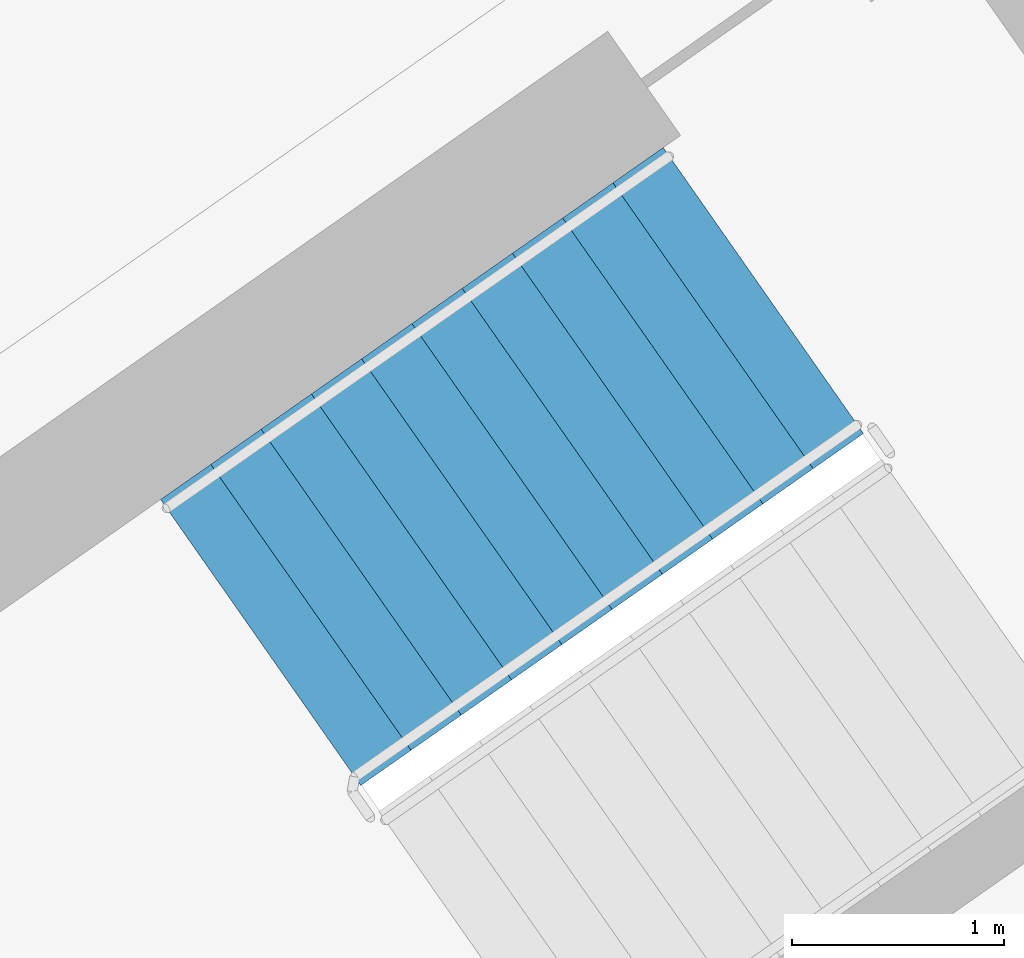
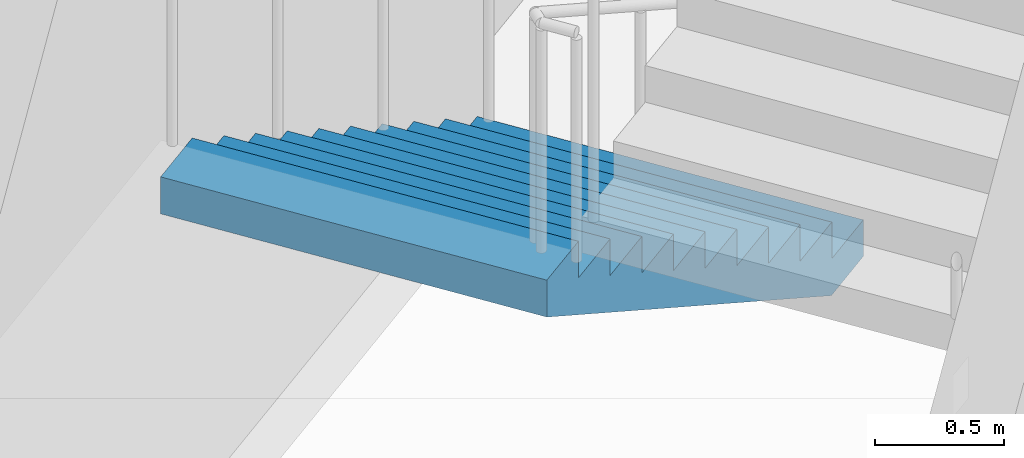
# One storey, part 12 of 31: 1 stair flight, 1 element without a shape of its own.
"""IFC4 building model written with IfcOpenShell, lengths in metres."""

from ifc_helpers import new_model, si_unit, direction, frame, origin, place, context, subcontext, project, spatial, faceted_brep, material, type_object, element, aggregate, save


model = new_model("IFC4")

# Units and contexts
model_context = context("Model", 3, precision=1e-05, world=origin(), true_north=direction((0.0, 1.0)))
body_context = subcontext(model_context, "Body", "Model", "MODEL_VIEW")
ifc_project = project(units=[si_unit("LENGTHUNIT", "METRE"), si_unit("AREAUNIT", "SQUARE_METRE"), si_unit("VOLUMEUNIT", "CUBIC_METRE"), si_unit("PLANEANGLEUNIT", "RADIAN"), si_unit("MASSUNIT", "GRAM", prefix="KILO")], contexts=[model_context])

# Site, building, storey
site_placement = place(None, origin())
site = spatial("IfcSite", under=ifc_project, at=site_placement, CompositionType="ELEMENT")
building_placement = place(site_placement, origin())
building = spatial("IfcBuilding", under=site, at=building_placement, Name="Qamariyya Broadcast Tower", CompositionType="ELEMENT")
storey_placement = place(building_placement, frame((0.0, 0.0, 149.300048828125)))
storey = spatial("IfcBuildingStorey", under=building, at=storey_placement, Name="L34", CompositionType="ELEMENT", Elevation=149.300048828125)

# Stair, stair flight
ifc_material = material(Name="Concrete C50/60", Category="concrete")
stair_type = type_object("IfcStairType", Name="Exit stair 22 risers of 173 mm", PredefinedType="HALF_TURN_STAIR", material=ifc_material)
stair_placement = place(storey_placement, origin())
stair = element("IfcStair", 1, at=stair_placement, inside=storey, type_object=stair_type, Name="L34 Stair E2", PredefinedType="HALF_TURN_STAIR")
stair_flight_type = type_object("IfcStairFlightType", Name="Exit stair flight 11 risers of 173 mm", PredefinedType="STRAIGHT", material=ifc_material)
stair_flight_placement = place(storey_placement, frame((40.558837890625, -47.685302734375, 0.0), z_axis=(0.0, 0.0, 1.0), x_axis=(-0.819152044289, -0.573576436351, 0.0)))
stair_flight = element("IfcStairFlight", 2, at=stair_flight_placement, type_object=stair_flight_type, Name="ST-E2 flight 1", NumberOfRisers=11, NumberOfTreads=10, PredefinedType="STRAIGHT", RiserHeight=0.172727273, TreadLength=0.29, context=body_context, shape_type="Brep", body=[
    faceted_brep([(0.0, 0.824951171875, 0.0), (0.0, 0.824951171875, 0.172607421875), (0.2900390625, 0.824951171875, 0.172607421875), (0.2900390625, 0.824951171875, 0.345458984375), (0.580078125, 0.824951171875, 0.345458984375), (0.580078125, 0.824951171875, 0.51806640625), (0.8701171875, 0.824951171875, 0.51806640625), (0.8701171875, 0.824951171875, 0.69091796875), (1.159912109375, 0.824951171875, 0.69091796875), (1.159912109375, 0.824951171875, 0.863525390625), (1.449951171875, 0.824951171875, 0.863525390625), (1.449951171875, 0.824951171875, 1.036376953125), (1.739990234375, 0.824951171875, 1.036376953125), (1.739990234375, 0.824951171875, 1.208984375), (2.030029296875, 0.824951171875, 1.208984375), (2.030029296875, 0.824951171875, 1.3818359375), (2.320068359375, 0.824951171875, 1.3818359375), (2.320068359375, 0.824951171875, 1.554443359375), (2.610107421875, 0.824951171875, 1.554443359375), (2.610107421875, 0.824951171875, 1.727294921875), (2.89990234375, 0.824951171875, 1.727294921875), (2.89990234375, 0.824951171875, 1.552734375), (0.29296875, 0.824951171875, 0.0), (0.29296875, -0.824951171875, 0.0), (2.89990234375, -0.824951171875, 1.552734375), (2.89990234375, -0.824951171875, 1.727294921875), (2.610107421875, -0.824951171875, 1.727294921875), (2.610107421875, -0.824951171875, 1.554443359375), (2.320068359375, -0.824951171875, 1.554443359375), (2.320068359375, -0.824951171875, 1.3818359375), (2.030029296875, -0.824951171875, 1.3818359375), (2.030029296875, -0.824951171875, 1.208984375), (1.739990234375, -0.824951171875, 1.208984375), (1.739990234375, -0.824951171875, 1.036376953125), (1.449951171875, -0.824951171875, 1.036376953125), (1.449951171875, -0.824951171875, 0.863525390625), (1.159912109375, -0.824951171875, 0.863525390625), (1.159912109375, -0.824951171875, 0.69091796875), (0.8701171875, -0.824951171875, 0.69091796875), (0.8701171875, -0.824951171875, 0.51806640625), (0.580078125, -0.824951171875, 0.51806640625), (0.580078125, -0.824951171875, 0.345458984375), (0.2900390625, -0.824951171875, 0.345458984375), (0.2900390625, -0.824951171875, 0.172607421875), (0.0, -0.824951171875, 0.172607421875), (0.0, -0.824951171875, 0.0), (0.0, 0.10009765625, 0.0), (0.0, 0.086669921875, 0.0), (0.0, 0.0732421875, 0.0), (0.0, 0.06005859375, 0.0), (0.0, 0.046630859375, 0.0), (0.0, 0.033447265625, 0.0), (0.0, 0.02001953125, 0.0), (0.0, 0.006591796875, 0.0), (0.0, -0.006591796875, 0.0), (0.0, -0.02001953125, 0.0), (0.0, -0.033447265625, 0.0), (0.0, -0.046630859375, 0.0), (0.0, -0.06005859375, 0.0), (0.0, -0.0732421875, 0.0), (0.0, -0.086669921875, 0.0), (0.0, -0.10009765625, 0.0), (0.0, -0.10009765625, 0.172607421875), (0.0, -0.086669921875, 0.172607421875), (0.0, -0.0732421875, 0.172607421875), (0.0, -0.06005859375, 0.172607421875), (0.0, -0.046630859375, 0.172607421875), (0.0, -0.033447265625, 0.172607421875), (0.0, -0.02001953125, 0.172607421875), (0.0, -0.006591796875, 0.172607421875), (0.0, 0.006591796875, 0.172607421875), (0.0, 0.02001953125, 0.172607421875), (0.0, 0.033447265625, 0.172607421875), (0.0, 0.046630859375, 0.172607421875), (0.0, 0.06005859375, 0.172607421875), (0.0, 0.0732421875, 0.172607421875), (0.0, 0.086669921875, 0.172607421875), (0.0, 0.10009765625, 0.172607421875), (0.2900390625, -0.10009765625, 0.172607421875), (0.2900390625, -0.086669921875, 0.172607421875), (0.2900390625, -0.0732421875, 0.172607421875), (0.2900390625, -0.06005859375, 0.172607421875), (0.2900390625, -0.046630859375, 0.172607421875), (0.2900390625, -0.033447265625, 0.172607421875), (0.2900390625, -0.02001953125, 0.172607421875), (0.2900390625, -0.006591796875, 0.172607421875), (0.2900390625, 0.006591796875, 0.172607421875), (0.2900390625, 0.02001953125, 0.172607421875), (0.2900390625, 0.033447265625, 0.172607421875), (0.2900390625, 0.046630859375, 0.172607421875), (0.2900390625, 0.06005859375, 0.172607421875), (0.2900390625, 0.0732421875, 0.172607421875), (0.2900390625, 0.086669921875, 0.172607421875), (0.2900390625, 0.10009765625, 0.172607421875), (0.2900390625, -0.10009765625, 0.345458984375), (0.2900390625, -0.086669921875, 0.345458984375), (0.2900390625, -0.0732421875, 0.345458984375), (0.2900390625, -0.06005859375, 0.345458984375), (0.2900390625, -0.046630859375, 0.345458984375), (0.2900390625, -0.033447265625, 0.345458984375), (0.2900390625, -0.02001953125, 0.345458984375), (0.2900390625, -0.006591796875, 0.345458984375), (0.2900390625, 0.006591796875, 0.345458984375), (0.2900390625, 0.02001953125, 0.345458984375), (0.2900390625, 0.033447265625, 0.345458984375), (0.2900390625, 0.046630859375, 0.345458984375), (0.2900390625, 0.06005859375, 0.345458984375), (0.2900390625, 0.0732421875, 0.345458984375), (0.2900390625, 0.086669921875, 0.345458984375), (0.2900390625, 0.10009765625, 0.345458984375), (0.580078125, -0.10009765625, 0.345458984375), (0.580078125, -0.086669921875, 0.345458984375), (0.580078125, -0.0732421875, 0.345458984375), (0.580078125, -0.06005859375, 0.345458984375), (0.580078125, -0.046630859375, 0.345458984375), (0.580078125, -0.033447265625, 0.345458984375), (0.580078125, -0.02001953125, 0.345458984375), (0.580078125, -0.006591796875, 0.345458984375), (0.580078125, 0.006591796875, 0.345458984375), (0.580078125, 0.02001953125, 0.345458984375), (0.580078125, 0.033447265625, 0.345458984375), (0.580078125, 0.046630859375, 0.345458984375), (0.580078125, 0.06005859375, 0.345458984375), (0.580078125, 0.0732421875, 0.345458984375), (0.580078125, 0.086669921875, 0.345458984375), (0.580078125, 0.10009765625, 0.345458984375), (0.580078125, -0.10009765625, 0.51806640625), (0.580078125, -0.086669921875, 0.51806640625), (0.580078125, -0.0732421875, 0.51806640625), (0.580078125, -0.06005859375, 0.51806640625), (0.580078125, -0.046630859375, 0.51806640625), (0.580078125, -0.033447265625, 0.51806640625), (0.580078125, -0.02001953125, 0.51806640625), (0.580078125, -0.006591796875, 0.51806640625), (0.580078125, 0.006591796875, 0.51806640625), (0.580078125, 0.02001953125, 0.51806640625), (0.580078125, 0.033447265625, 0.51806640625), (0.580078125, 0.046630859375, 0.51806640625), (0.580078125, 0.06005859375, 0.51806640625), (0.580078125, 0.0732421875, 0.51806640625), (0.580078125, 0.086669921875, 0.51806640625), (0.580078125, 0.10009765625, 0.51806640625), (0.8701171875, -0.10009765625, 0.51806640625), (0.8701171875, -0.086669921875, 0.51806640625), (0.8701171875, -0.0732421875, 0.51806640625), (0.8701171875, -0.06005859375, 0.51806640625), (0.8701171875, -0.046630859375, 0.51806640625), (0.8701171875, -0.033447265625, 0.51806640625), (0.8701171875, -0.02001953125, 0.51806640625), (0.8701171875, -0.006591796875, 0.51806640625), (0.8701171875, 0.006591796875, 0.51806640625), (0.8701171875, 0.02001953125, 0.51806640625), (0.8701171875, 0.033447265625, 0.51806640625), (0.8701171875, 0.046630859375, 0.51806640625), (0.8701171875, 0.06005859375, 0.51806640625), (0.8701171875, 0.0732421875, 0.51806640625), (0.8701171875, 0.086669921875, 0.51806640625), (0.8701171875, 0.10009765625, 0.51806640625), (0.8701171875, -0.10009765625, 0.69091796875), (0.8701171875, -0.086669921875, 0.69091796875), (0.8701171875, -0.0732421875, 0.69091796875), (0.8701171875, -0.06005859375, 0.69091796875), (0.8701171875, -0.046630859375, 0.69091796875), (0.8701171875, -0.033447265625, 0.69091796875), (0.8701171875, -0.02001953125, 0.69091796875), (0.8701171875, -0.006591796875, 0.69091796875), (0.8701171875, 0.006591796875, 0.69091796875), (0.8701171875, 0.02001953125, 0.69091796875), (0.8701171875, 0.033447265625, 0.69091796875), (0.8701171875, 0.046630859375, 0.69091796875), (0.8701171875, 0.06005859375, 0.69091796875), (0.8701171875, 0.0732421875, 0.69091796875), (0.8701171875, 0.086669921875, 0.69091796875), (0.8701171875, 0.10009765625, 0.69091796875), (1.159912109375, -0.10009765625, 0.69091796875), (1.159912109375, -0.086669921875, 0.69091796875), (1.159912109375, -0.0732421875, 0.69091796875), (1.159912109375, -0.06005859375, 0.69091796875), (1.159912109375, -0.046630859375, 0.69091796875), (1.159912109375, -0.033447265625, 0.69091796875), (1.159912109375, -0.02001953125, 0.69091796875), (1.159912109375, -0.006591796875, 0.69091796875), (1.159912109375, 0.006591796875, 0.69091796875), (1.159912109375, 0.02001953125, 0.69091796875), (1.159912109375, 0.033447265625, 0.69091796875), (1.159912109375, 0.046630859375, 0.69091796875), (1.159912109375, 0.06005859375, 0.69091796875), (1.159912109375, 0.0732421875, 0.69091796875), (1.159912109375, 0.086669921875, 0.69091796875), (1.159912109375, 0.10009765625, 0.69091796875), (1.159912109375, -0.10009765625, 0.863525390625), (1.159912109375, -0.086669921875, 0.863525390625), (1.159912109375, -0.0732421875, 0.863525390625), (1.159912109375, -0.06005859375, 0.863525390625), (1.159912109375, -0.046630859375, 0.863525390625), (1.159912109375, -0.033447265625, 0.863525390625), (1.159912109375, -0.02001953125, 0.863525390625), (1.159912109375, -0.006591796875, 0.863525390625), (1.159912109375, 0.006591796875, 0.863525390625), (1.159912109375, 0.02001953125, 0.863525390625), (1.159912109375, 0.033447265625, 0.863525390625), (1.159912109375, 0.046630859375, 0.863525390625), (1.159912109375, 0.06005859375, 0.863525390625), (1.159912109375, 0.0732421875, 0.863525390625), (1.159912109375, 0.086669921875, 0.863525390625), (1.159912109375, 0.10009765625, 0.863525390625), (1.449951171875, -0.10009765625, 0.863525390625), (1.449951171875, -0.086669921875, 0.863525390625), (1.449951171875, -0.0732421875, 0.863525390625), (1.449951171875, -0.06005859375, 0.863525390625), (1.449951171875, -0.046630859375, 0.863525390625), (1.449951171875, -0.033447265625, 0.863525390625), (1.449951171875, -0.02001953125, 0.863525390625), (1.449951171875, -0.006591796875, 0.863525390625), (1.449951171875, 0.006591796875, 0.863525390625), (1.449951171875, 0.02001953125, 0.863525390625), (1.449951171875, 0.033447265625, 0.863525390625), (1.449951171875, 0.046630859375, 0.863525390625), (1.449951171875, 0.06005859375, 0.863525390625), (1.449951171875, 0.0732421875, 0.863525390625), (1.449951171875, 0.086669921875, 0.863525390625), (1.449951171875, 0.10009765625, 0.863525390625), (1.449951171875, -0.10009765625, 1.036376953125), (1.449951171875, -0.086669921875, 1.036376953125), (1.449951171875, -0.0732421875, 1.036376953125), (1.449951171875, -0.06005859375, 1.036376953125), (1.449951171875, -0.046630859375, 1.036376953125), (1.449951171875, -0.033447265625, 1.036376953125), (1.449951171875, -0.02001953125, 1.036376953125), (1.449951171875, -0.006591796875, 1.036376953125), (1.449951171875, 0.006591796875, 1.036376953125), (1.449951171875, 0.02001953125, 1.036376953125), (1.449951171875, 0.033447265625, 1.036376953125), (1.449951171875, 0.046630859375, 1.036376953125), (1.449951171875, 0.06005859375, 1.036376953125), (1.449951171875, 0.0732421875, 1.036376953125), (1.449951171875, 0.086669921875, 1.036376953125), (1.449951171875, 0.10009765625, 1.036376953125), (1.739990234375, -0.10009765625, 1.036376953125), (1.739990234375, -0.086669921875, 1.036376953125), (1.739990234375, -0.0732421875, 1.036376953125), (1.739990234375, -0.06005859375, 1.036376953125), (1.739990234375, -0.046630859375, 1.036376953125), (1.739990234375, -0.033447265625, 1.036376953125), (1.739990234375, -0.02001953125, 1.036376953125), (1.739990234375, -0.006591796875, 1.036376953125), (1.739990234375, 0.006591796875, 1.036376953125), (1.739990234375, 0.02001953125, 1.036376953125), (1.739990234375, 0.033447265625, 1.036376953125), (1.739990234375, 0.046630859375, 1.036376953125), (1.739990234375, 0.06005859375, 1.036376953125), (1.739990234375, 0.0732421875, 1.036376953125), (1.739990234375, 0.086669921875, 1.036376953125), (1.739990234375, 0.10009765625, 1.036376953125), (1.739990234375, -0.10009765625, 1.208984375), (1.739990234375, -0.086669921875, 1.208984375), (1.739990234375, -0.0732421875, 1.208984375), (1.739990234375, -0.06005859375, 1.208984375), (1.739990234375, -0.046630859375, 1.208984375), (1.739990234375, -0.033447265625, 1.208984375), (1.739990234375, -0.02001953125, 1.208984375), (1.739990234375, -0.006591796875, 1.208984375), (1.739990234375, 0.006591796875, 1.208984375), (1.739990234375, 0.02001953125, 1.208984375), (1.739990234375, 0.033447265625, 1.208984375), (1.739990234375, 0.046630859375, 1.208984375), (1.739990234375, 0.06005859375, 1.208984375), (1.739990234375, 0.0732421875, 1.208984375), (1.739990234375, 0.086669921875, 1.208984375), (1.739990234375, 0.10009765625, 1.208984375), (2.030029296875, -0.10009765625, 1.208984375), (2.030029296875, -0.086669921875, 1.208984375), (2.030029296875, -0.0732421875, 1.208984375), (2.030029296875, -0.06005859375, 1.208984375), (2.030029296875, -0.046630859375, 1.208984375), (2.030029296875, -0.033447265625, 1.208984375), (2.030029296875, -0.02001953125, 1.208984375), (2.030029296875, -0.006591796875, 1.208984375), (2.030029296875, 0.006591796875, 1.208984375), (2.030029296875, 0.02001953125, 1.208984375), (2.030029296875, 0.033447265625, 1.208984375), (2.030029296875, 0.046630859375, 1.208984375), (2.030029296875, 0.06005859375, 1.208984375), (2.030029296875, 0.0732421875, 1.208984375), (2.030029296875, 0.086669921875, 1.208984375), (2.030029296875, 0.10009765625, 1.208984375), (2.030029296875, -0.10009765625, 1.3818359375), (2.030029296875, -0.086669921875, 1.3818359375), (2.030029296875, -0.0732421875, 1.3818359375), (2.030029296875, -0.06005859375, 1.3818359375), (2.030029296875, -0.046630859375, 1.3818359375), (2.030029296875, -0.033447265625, 1.3818359375), (2.030029296875, -0.02001953125, 1.3818359375), (2.030029296875, -0.006591796875, 1.3818359375), (2.030029296875, 0.006591796875, 1.3818359375), (2.030029296875, 0.02001953125, 1.3818359375), (2.030029296875, 0.033447265625, 1.3818359375), (2.030029296875, 0.046630859375, 1.3818359375), (2.030029296875, 0.06005859375, 1.3818359375), (2.030029296875, 0.0732421875, 1.3818359375), (2.030029296875, 0.086669921875, 1.3818359375), (2.030029296875, 0.10009765625, 1.3818359375), (2.320068359375, -0.10009765625, 1.3818359375), (2.320068359375, -0.086669921875, 1.3818359375), (2.320068359375, -0.0732421875, 1.3818359375), (2.320068359375, -0.06005859375, 1.3818359375), (2.320068359375, -0.046630859375, 1.3818359375), (2.320068359375, -0.033447265625, 1.3818359375), (2.320068359375, -0.02001953125, 1.3818359375), (2.320068359375, -0.006591796875, 1.3818359375), (2.320068359375, 0.006591796875, 1.3818359375), (2.320068359375, 0.02001953125, 1.3818359375), (2.320068359375, 0.033447265625, 1.3818359375), (2.320068359375, 0.046630859375, 1.3818359375), (2.320068359375, 0.06005859375, 1.3818359375), (2.320068359375, 0.0732421875, 1.3818359375), (2.320068359375, 0.086669921875, 1.3818359375), (2.320068359375, 0.10009765625, 1.3818359375), (2.320068359375, -0.10009765625, 1.554443359375), (2.320068359375, -0.086669921875, 1.554443359375), (2.320068359375, -0.0732421875, 1.554443359375), (2.320068359375, -0.06005859375, 1.554443359375), (2.320068359375, -0.046630859375, 1.554443359375), (2.320068359375, -0.033447265625, 1.554443359375), (2.320068359375, -0.02001953125, 1.554443359375), (2.320068359375, -0.006591796875, 1.554443359375), (2.320068359375, 0.006591796875, 1.554443359375), (2.320068359375, 0.02001953125, 1.554443359375), (2.320068359375, 0.033447265625, 1.554443359375), (2.320068359375, 0.046630859375, 1.554443359375), (2.320068359375, 0.06005859375, 1.554443359375), (2.320068359375, 0.0732421875, 1.554443359375), (2.320068359375, 0.086669921875, 1.554443359375), (2.320068359375, 0.10009765625, 1.554443359375), (2.610107421875, -0.10009765625, 1.554443359375), (2.610107421875, -0.086669921875, 1.554443359375), (2.610107421875, -0.0732421875, 1.554443359375), (2.610107421875, -0.06005859375, 1.554443359375), (2.610107421875, -0.046630859375, 1.554443359375), (2.610107421875, -0.033447265625, 1.554443359375), (2.610107421875, -0.02001953125, 1.554443359375), (2.610107421875, -0.006591796875, 1.554443359375), (2.610107421875, 0.006591796875, 1.554443359375), (2.610107421875, 0.02001953125, 1.554443359375), (2.610107421875, 0.033447265625, 1.554443359375), (2.610107421875, 0.046630859375, 1.554443359375), (2.610107421875, 0.06005859375, 1.554443359375), (2.610107421875, 0.0732421875, 1.554443359375), (2.610107421875, 0.086669921875, 1.554443359375), (2.610107421875, 0.10009765625, 1.554443359375), (2.610107421875, -0.10009765625, 1.727294921875), (2.610107421875, -0.086669921875, 1.727294921875), (2.610107421875, -0.0732421875, 1.727294921875), (2.610107421875, -0.06005859375, 1.727294921875), (2.610107421875, -0.046630859375, 1.727294921875), (2.610107421875, -0.033447265625, 1.727294921875), (2.610107421875, -0.02001953125, 1.727294921875), (2.610107421875, -0.006591796875, 1.727294921875), (2.610107421875, 0.006591796875, 1.727294921875), (2.610107421875, 0.02001953125, 1.727294921875), (2.610107421875, 0.033447265625, 1.727294921875), (2.610107421875, 0.046630859375, 1.727294921875), (2.610107421875, 0.06005859375, 1.727294921875), (2.610107421875, 0.0732421875, 1.727294921875), (2.610107421875, 0.086669921875, 1.727294921875), (2.610107421875, 0.10009765625, 1.727294921875), (2.89990234375, -0.10009765625, 1.727294921875), (2.89990234375, -0.086669921875, 1.727294921875), (2.89990234375, -0.0732421875, 1.727294921875), (2.89990234375, -0.06005859375, 1.727294921875), (2.89990234375, -0.046630859375, 1.727294921875), (2.89990234375, -0.033447265625, 1.727294921875), (2.89990234375, -0.02001953125, 1.727294921875), (2.89990234375, -0.006591796875, 1.727294921875), (2.89990234375, 0.006591796875, 1.727294921875), (2.89990234375, 0.02001953125, 1.727294921875), (2.89990234375, 0.033447265625, 1.727294921875), (2.89990234375, 0.046630859375, 1.727294921875), (2.89990234375, 0.06005859375, 1.727294921875), (2.89990234375, 0.0732421875, 1.727294921875), (2.89990234375, 0.086669921875, 1.727294921875), (2.89990234375, 0.10009765625, 1.727294921875), (2.89990234375, -0.10009765625, 1.552734375), (2.89990234375, -0.086669921875, 1.552734375), (2.89990234375, -0.0732421875, 1.552734375), (2.89990234375, -0.06005859375, 1.552734375), (2.89990234375, -0.046630859375, 1.552734375), (2.89990234375, -0.033447265625, 1.552734375), (2.89990234375, -0.02001953125, 1.552734375), (2.89990234375, -0.006591796875, 1.552734375), (2.89990234375, 0.006591796875, 1.552734375), (2.89990234375, 0.02001953125, 1.552734375), (2.89990234375, 0.033447265625, 1.552734375), (2.89990234375, 0.046630859375, 1.552734375), (2.89990234375, 0.06005859375, 1.552734375), (2.89990234375, 0.0732421875, 1.552734375), (2.89990234375, 0.086669921875, 1.552734375), (2.89990234375, 0.10009765625, 1.552734375), (0.29296875, -0.10009765625, 0.0), (0.29296875, -0.086669921875, 0.0), (0.29296875, -0.0732421875, 0.0), (0.29296875, -0.06005859375, 0.0), (0.29296875, -0.046630859375, 0.0), (0.29296875, -0.033447265625, 0.0), (0.29296875, -0.02001953125, 0.0), (0.29296875, -0.006591796875, 0.0), (0.29296875, 0.006591796875, 0.0), (0.29296875, 0.02001953125, 0.0), (0.29296875, 0.033447265625, 0.0), (0.29296875, 0.046630859375, 0.0), (0.29296875, 0.06005859375, 0.0), (0.29296875, 0.0732421875, 0.0), (0.29296875, 0.086669921875, 0.0), (0.29296875, 0.10009765625, 0.0)], [[[0, 1, 2, 3, 4, 5, 6, 7, 8, 9, 10, 11, 12, 13, 14, 15, 16, 17, 18, 19, 20, 21, 22]], [[23, 24, 25, 26, 27, 28, 29, 30, 31, 32, 33, 34, 35, 36, 37, 38, 39, 40, 41, 42, 43, 44, 45]], [[0, 46, 47, 48, 49, 50, 51, 52, 53, 54, 55, 56, 57, 58, 59, 60, 61, 45, 44, 62, 63, 64, 65, 66, 67, 68, 69, 70, 71, 72, 73, 74, 75, 76, 77, 1]], [[1, 77, 76, 75, 74, 73, 72, 71, 70, 69, 68, 67, 66, 65, 64, 63, 62, 44, 43, 78, 79, 80, 81, 82, 83, 84, 85, 86, 87, 88, 89, 90, 91, 92, 93, 2]], [[2, 93, 92, 91, 90, 89, 88, 87, 86, 85, 84, 83, 82, 81, 80, 79, 78, 43, 42, 94, 95, 96, 97, 98, 99, 100, 101, 102, 103, 104, 105, 106, 107, 108, 109, 3]], [[3, 109, 108, 107, 106, 105, 104, 103, 102, 101, 100, 99, 98, 97, 96, 95, 94, 42, 41, 110, 111, 112, 113, 114, 115, 116, 117, 118, 119, 120, 121, 122, 123, 124, 125, 4]], [[4, 125, 124, 123, 122, 121, 120, 119, 118, 117, 116, 115, 114, 113, 112, 111, 110, 41, 40, 126, 127, 128, 129, 130, 131, 132, 133, 134, 135, 136, 137, 138, 139, 140, 141, 5]], [[5, 141, 140, 139, 138, 137, 136, 135, 134, 133, 132, 131, 130, 129, 128, 127, 126, 40, 39, 142, 143, 144, 145, 146, 147, 148, 149, 150, 151, 152, 153, 154, 155, 156, 157, 6]], [[6, 157, 156, 155, 154, 153, 152, 151, 150, 149, 148, 147, 146, 145, 144, 143, 142, 39, 38, 158, 159, 160, 161, 162, 163, 164, 165, 166, 167, 168, 169, 170, 171, 172, 173, 7]], [[7, 173, 172, 171, 170, 169, 168, 167, 166, 165, 164, 163, 162, 161, 160, 159, 158, 38, 37, 174, 175, 176, 177, 178, 179, 180, 181, 182, 183, 184, 185, 186, 187, 188, 189, 8]], [[8, 189, 188, 187, 186, 185, 184, 183, 182, 181, 180, 179, 178, 177, 176, 175, 174, 37, 36, 190, 191, 192, 193, 194, 195, 196, 197, 198, 199, 200, 201, 202, 203, 204, 205, 9]], [[9, 205, 204, 203, 202, 201, 200, 199, 198, 197, 196, 195, 194, 193, 192, 191, 190, 36, 35, 206, 207, 208, 209, 210, 211, 212, 213, 214, 215, 216, 217, 218, 219, 220, 221, 10]], [[10, 221, 220, 219, 218, 217, 216, 215, 214, 213, 212, 211, 210, 209, 208, 207, 206, 35, 34, 222, 223, 224, 225, 226, 227, 228, 229, 230, 231, 232, 233, 234, 235, 236, 237, 11]], [[11, 237, 236, 235, 234, 233, 232, 231, 230, 229, 228, 227, 226, 225, 224, 223, 222, 34, 33, 238, 239, 240, 241, 242, 243, 244, 245, 246, 247, 248, 249, 250, 251, 252, 253, 12]], [[12, 253, 252, 251, 250, 249, 248, 247, 246, 245, 244, 243, 242, 241, 240, 239, 238, 33, 32, 254, 255, 256, 257, 258, 259, 260, 261, 262, 263, 264, 265, 266, 267, 268, 269, 13]], [[13, 269, 268, 267, 266, 265, 264, 263, 262, 261, 260, 259, 258, 257, 256, 255, 254, 32, 31, 270, 271, 272, 273, 274, 275, 276, 277, 278, 279, 280, 281, 282, 283, 284, 285, 14]], [[14, 285, 284, 283, 282, 281, 280, 279, 278, 277, 276, 275, 274, 273, 272, 271, 270, 31, 30, 286, 287, 288, 289, 290, 291, 292, 293, 294, 295, 296, 297, 298, 299, 300, 301, 15]], [[15, 301, 300, 299, 298, 297, 296, 295, 294, 293, 292, 291, 290, 289, 288, 287, 286, 30, 29, 302, 303, 304, 305, 306, 307, 308, 309, 310, 311, 312, 313, 314, 315, 316, 317, 16]], [[16, 317, 316, 315, 314, 313, 312, 311, 310, 309, 308, 307, 306, 305, 304, 303, 302, 29, 28, 318, 319, 320, 321, 322, 323, 324, 325, 326, 327, 328, 329, 330, 331, 332, 333, 17]], [[17, 333, 332, 331, 330, 329, 328, 327, 326, 325, 324, 323, 322, 321, 320, 319, 318, 28, 27, 334, 335, 336, 337, 338, 339, 340, 341, 342, 343, 344, 345, 346, 347, 348, 349, 18]], [[18, 349, 348, 347, 346, 345, 344, 343, 342, 341, 340, 339, 338, 337, 336, 335, 334, 27, 26, 350, 351, 352, 353, 354, 355, 356, 357, 358, 359, 360, 361, 362, 363, 364, 365, 19]], [[19, 365, 364, 363, 362, 361, 360, 359, 358, 357, 356, 355, 354, 353, 352, 351, 350, 26, 25, 366, 367, 368, 369, 370, 371, 372, 373, 374, 375, 376, 377, 378, 379, 380, 381, 20]], [[20, 381, 380, 379, 378, 377, 376, 375, 374, 373, 372, 371, 370, 369, 368, 367, 366, 25, 24, 382, 383, 384, 385, 386, 387, 388, 389, 390, 391, 392, 393, 394, 395, 396, 397, 21]], [[21, 397, 396, 395, 394, 393, 392, 391, 390, 389, 388, 387, 386, 385, 384, 383, 382, 24, 23, 398, 399, 400, 401, 402, 403, 404, 405, 406, 407, 408, 409, 410, 411, 412, 413, 22]], [[22, 413, 412, 411, 410, 409, 408, 407, 406, 405, 404, 403, 402, 401, 400, 399, 398, 23, 45, 61, 60, 59, 58, 57, 56, 55, 54, 53, 52, 51, 50, 49, 48, 47, 46, 0]]]),
])
aggregate(stair, [stair_flight])

save(model, "model.ifc")
